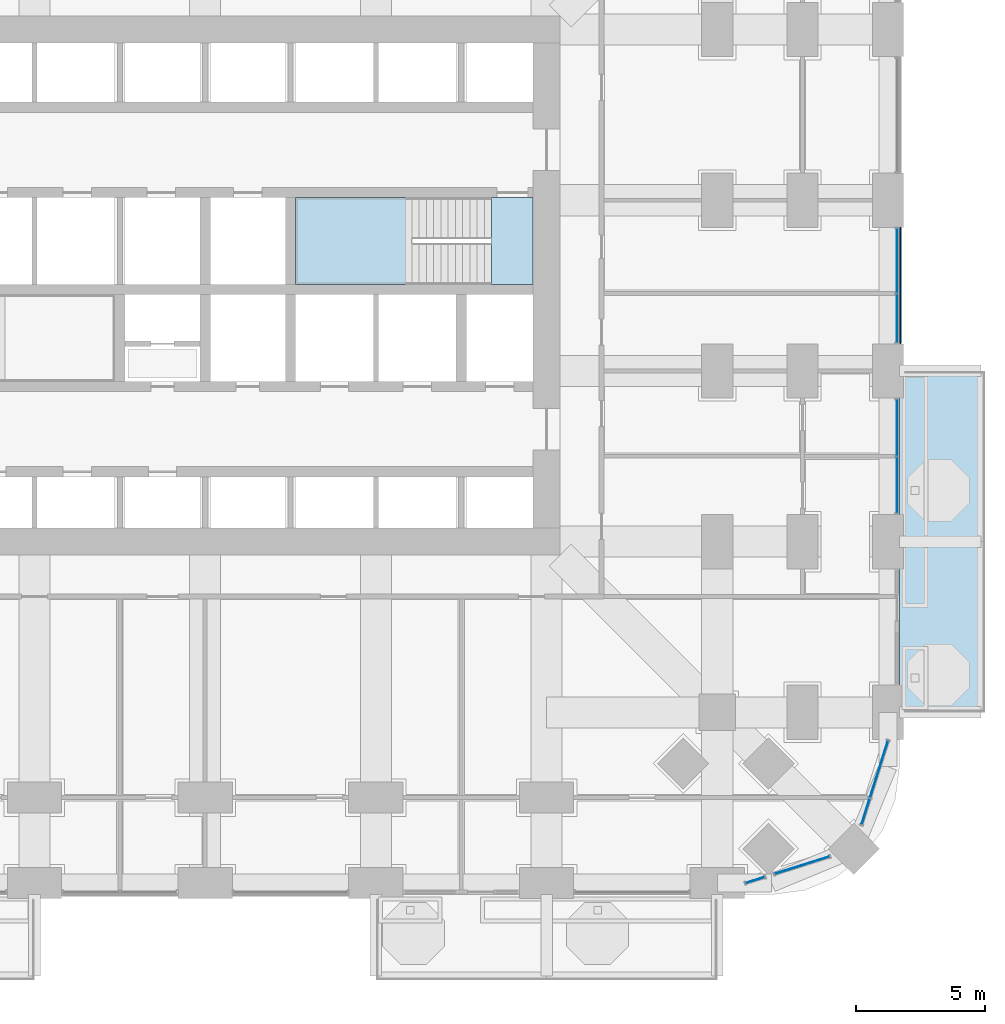
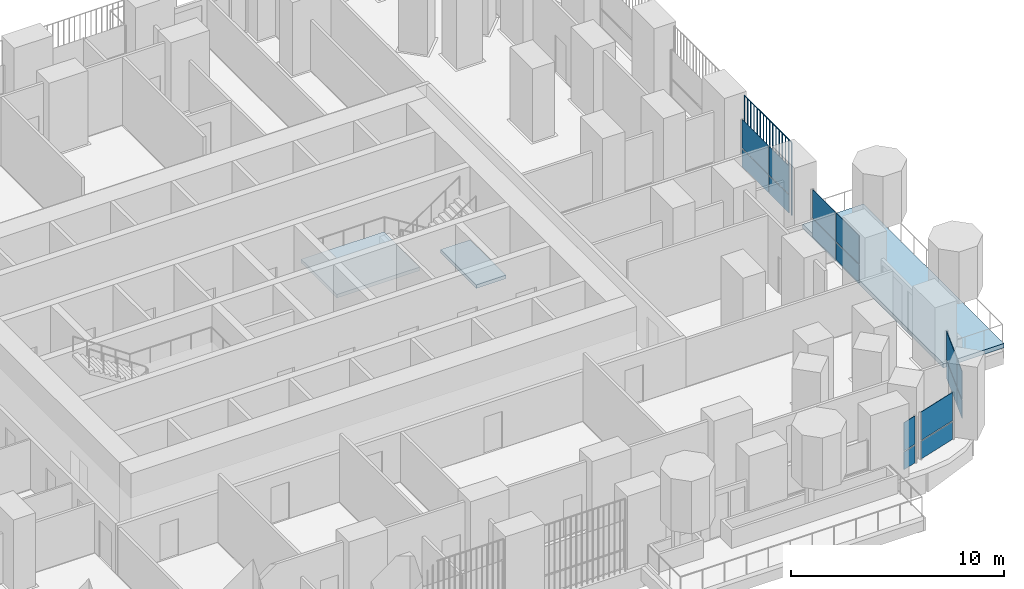
# One storey, part 14 of 27: 17 plates, 3 slabs, 6 elements without a shape of their own.
"""IFC4 building model written with IfcOpenShell, lengths in metres."""

from ifc_helpers import new_model, si_unit, direction, frame, origin, origin_2d, place, context, subcontext, project, spatial, polyline, rectangle, outline, extrude, material, layer, layer_set, type_object, element, aggregate, save


model = new_model("IFC4")

# Units and contexts
model_context = context("Model", 3, precision=1e-05, world=origin(), true_north=direction((0.0, 1.0)))
body_context = subcontext(model_context, "Body", "Model", "MODEL_VIEW")
ifc_project = project(units=[si_unit("LENGTHUNIT", "METRE"), si_unit("AREAUNIT", "SQUARE_METRE"), si_unit("VOLUMEUNIT", "CUBIC_METRE"), si_unit("PLANEANGLEUNIT", "RADIAN"), si_unit("MASSUNIT", "GRAM", prefix="KILO")], contexts=[model_context])

# Site, building, storey
site_placement = place(None, origin())
site = spatial("IfcSite", under=ifc_project, at=site_placement, CompositionType="ELEMENT")
building_placement = place(site_placement, origin())
building = spatial("IfcBuilding", under=site, at=building_placement, Name="Cobogo Forest Laboratory Tower", CompositionType="ELEMENT")
storey_placement = place(building_placement, frame((0.0, 0.0, 38.10009765625)))
storey = spatial("IfcBuildingStorey", under=building, at=storey_placement, Name="L08", CompositionType="ELEMENT", Elevation=38.10009765625)

# Slab
ifc_material_1 = material(Name="Concrete HA-40 (C40/50)", Category="concrete")
ifc_layer_1 = layer(ifc_material_1, 0.25)
ifc_layer_set_1 = layer_set([ifc_layer_1], Name="Balcony slab 250")
slab_type_1 = type_object("IfcSlabType", Name="Balcony slab 250", PredefinedType="FLOOR", material=ifc_layer_set_1)
slab_1_placement = place(storey_placement, frame((0.0, 0.0, -0.25)))
element("IfcSlab", 1, at=slab_1_placement, inside=storey, type_object=slab_type_1, Name="Balcony BAL-E1 L08", PredefinedType="FLOOR", context=body_context, shape_type="SweptSolid", body=[
    extrude(outline(polyline([(53.25, 6.60009765625), (56.550048828125, 6.60009765625), (56.550048828125, 19.800048828125), (53.25, 19.800048828125), (53.25, 6.60009765625)])), origin(), (0.0, 0.0, 1.0), 0.25),
])

# Curtain wall, plates
ifc_material_2 = material(Name="Aluminium curtain wall", Category="aluminium")
curtain_wall_type = type_object("IfcCurtainWallType", Name="CW-1 unitised curtain wall, clear glazing, laboratory floors zones A and B", PredefinedType="USERDEFINED", material=ifc_material_2)
curtain_wall_1_placement = place(storey_placement, origin())
curtain_wall_1 = element("IfcCurtainWall", 2, at=curtain_wall_1_placement, inside=storey, type_object=curtain_wall_type, Name="Curtain wall 07 L08", ObjectType="UNITISED CURTAIN WALL", PredefinedType="USERDEFINED")
ifc_material_3 = material(Name="Clear insulated glass", Category="glass")
ifc_layer_2 = layer(ifc_material_3, 0.028076171875)
ifc_layer_set_2 = layer_set([ifc_layer_2], Name="GP-1 clear insulated glass unit 28")
plate_type_1 = type_object("IfcPlateType", Name="GP-1 clear insulated glass unit 28", PredefinedType="CURTAIN_PANEL", material=ifc_layer_set_2)
plate_1_placement = place(storey_placement, frame((47.666015625, 0.113037109375, 0.0), z_axis=(0.0, 0.0, 1.0), x_axis=(0.953581504428, 0.301135043481, 0.0)))
plate_1 = element("IfcPlate", 3, at=plate_1_placement, type_object=plate_type_1, Name="CW-1 panel 1.1", PredefinedType="CURTAIN_PANEL", context=body_context, shape_type="SweptSolid", body=[
    extrude(rectangle(XDim=0.75244140625, YDim=0.028076171875, at=origin_2d()), origin(), (0.0, 0.0, 1.0), 1.02001953125),
])
plate_2_placement = place(storey_placement, frame((47.666015625, 0.113037109375, 1.079833984375), z_axis=(0.0, 0.0, 1.0), x_axis=(0.953581504428, 0.301135043481, 0.0)))
plate_2 = element("IfcPlate", 4, at=plate_2_placement, type_object=plate_type_1, Name="CW-1 panel 1.2", PredefinedType="CURTAIN_PANEL", context=body_context, shape_type="SweptSolid", body=[
    extrude(rectangle(XDim=0.75244140625, YDim=0.028076171875, at=origin_2d()), origin(), (0.0, 0.0, 1.0), 1.6201171875),
])
aggregate(curtain_wall_1, [plate_1, plate_2])

curtain_wall_2_placement = place(storey_placement, origin())
curtain_wall_2 = element("IfcCurtainWall", 5, at=curtain_wall_2_placement, inside=storey, type_object=curtain_wall_type, Name="Curtain wall 08 L08", ObjectType="UNITISED CURTAIN WALL", PredefinedType="USERDEFINED")
plate_3_placement = place(storey_placement, frame((49.482177734375, 0.6865234375, 0.0), z_axis=(0.0, 0.0, 1.0), x_axis=(0.953581409645, 0.301135343623, 0.0)))
plate_3 = element("IfcPlate", 6, at=plate_3_placement, type_object=plate_type_1, Name="CW-1 panel 1.1", PredefinedType="CURTAIN_PANEL", context=body_context, shape_type="SweptSolid", body=[
    extrude(rectangle(XDim=2.203369140625, YDim=0.028076171875, at=origin_2d()), origin(), (0.0, 0.0, 1.0), 1.02001953125),
])
plate_4_placement = place(storey_placement, frame((49.482177734375, 0.6865234375, 1.079833984375), z_axis=(0.0, 0.0, 1.0), x_axis=(0.953581409645, 0.301135343623, 0.0)))
plate_4 = element("IfcPlate", 7, at=plate_4_placement, type_object=plate_type_1, Name="CW-1 panel 1.2", PredefinedType="CURTAIN_PANEL", context=body_context, shape_type="SweptSolid", body=[
    extrude(rectangle(XDim=2.203369140625, YDim=0.028076171875, at=origin_2d()), origin(), (0.0, 0.0, 1.0), 1.6201171875),
])
aggregate(curtain_wall_2, [plate_3, plate_4])

curtain_wall_3_placement = place(storey_placement, origin())
curtain_wall_3 = element("IfcCurtainWall", 8, at=curtain_wall_3_placement, inside=storey, type_object=curtain_wall_type, Name="Curtain wall 09 L08", ObjectType="UNITISED CURTAIN WALL", PredefinedType="USERDEFINED")
plate_5_placement = place(storey_placement, frame((51.9365234375, 2.75732421875, 0.0), z_axis=(0.0, 0.0, 1.0), x_axis=(0.30113535792, 0.95358140513, 0.0)))
plate_5 = element("IfcPlate", 9, at=plate_5_placement, type_object=plate_type_1, Name="CW-1 panel 1.1", PredefinedType="CURTAIN_PANEL", context=body_context, shape_type="SweptSolid", body=[
    extrude(rectangle(XDim=1.027587890625, YDim=0.028076171875, at=origin_2d()), origin(), (0.0, 0.0, 1.0), 1.02001953125),
])
plate_6_placement = place(storey_placement, frame((51.9365234375, 2.75732421875, 1.079833984375), z_axis=(0.0, 0.0, 1.0), x_axis=(0.30113535792, 0.95358140513, 0.0)))
plate_6 = element("IfcPlate", 10, at=plate_6_placement, type_object=plate_type_1, Name="CW-1 panel 1.2", PredefinedType="CURTAIN_PANEL", context=body_context, shape_type="SweptSolid", body=[
    extrude(rectangle(XDim=1.027587890625, YDim=0.028076171875, at=origin_2d()), origin(), (0.0, 0.0, 1.0), 1.6201171875),
])
plate_7_placement = place(storey_placement, frame((52.454833984375, 4.398681640625, 0.0), z_axis=(0.0, 0.0, 1.0), x_axis=(0.30113535792, 0.95358140513, 0.0)))
plate_7 = element("IfcPlate", 11, at=plate_7_placement, type_object=plate_type_1, Name="CW-1 panel 2.1", PredefinedType="CURTAIN_PANEL", context=body_context, shape_type="SweptSolid", body=[
    extrude(rectangle(XDim=2.294677734375, YDim=0.028076171875, at=origin_2d()), origin(), (0.0, 0.0, 1.0), 1.02001953125),
])
plate_8_placement = place(storey_placement, frame((52.454833984375, 4.398681640625, 1.079833984375), z_axis=(0.0, 0.0, 1.0), x_axis=(0.30113535792, 0.95358140513, 0.0)))
plate_8 = element("IfcPlate", 12, at=plate_8_placement, type_object=plate_type_1, Name="CW-1 panel 2.2", PredefinedType="CURTAIN_PANEL", context=body_context, shape_type="SweptSolid", body=[
    extrude(rectangle(XDim=2.294677734375, YDim=0.028076171875, at=origin_2d()), origin(), (0.0, 0.0, 1.0), 1.6201171875),
])
aggregate(curtain_wall_3, [plate_5, plate_6, plate_7, plate_8])

curtain_wall_4_placement = place(storey_placement, origin())
curtain_wall_4 = element("IfcCurtainWall", 13, at=curtain_wall_4_placement, inside=storey, type_object=curtain_wall_type, Name="Curtain wall 11 L08", ObjectType="UNITISED CURTAIN WALL", PredefinedType="USERDEFINED")
plate_9_placement = place(storey_placement, frame((53.14990234375, 15.389892578125, 0.0), z_axis=(0.0, 0.0, 1.0), x_axis=(0.0, 1.0, 0.0)))
plate_9 = element("IfcPlate", 14, at=plate_9_placement, type_object=plate_type_1, Name="CW-1 panel 1.1", PredefinedType="CURTAIN_PANEL", context=body_context, shape_type="SweptSolid", body=[
    extrude(rectangle(XDim=2.159912109375, YDim=0.028076171875, at=origin_2d()), origin(), (0.0, 0.0, 1.0), 1.02001953125),
])
plate_10_placement = place(storey_placement, frame((53.14990234375, 15.389892578125, 1.079833984375), z_axis=(0.0, 0.0, 1.0), x_axis=(0.0, 1.0, 0.0)))
plate_10 = element("IfcPlate", 15, at=plate_10_placement, type_object=plate_type_1, Name="CW-1 panel 1.2", PredefinedType="CURTAIN_PANEL", context=body_context, shape_type="SweptSolid", body=[
    extrude(rectangle(XDim=2.159912109375, YDim=0.028076171875, at=origin_2d()), origin(), (0.0, 0.0, 1.0), 1.6201171875),
])
plate_11_placement = place(storey_placement, frame((53.14990234375, 17.610107421875, 0.0), z_axis=(0.0, 0.0, 1.0), x_axis=(0.0, 1.0, 0.0)))
plate_11 = element("IfcPlate", 16, at=plate_11_placement, type_object=plate_type_1, Name="CW-1 panel 2.1", PredefinedType="CURTAIN_PANEL", context=body_context, shape_type="SweptSolid", body=[
    extrude(rectangle(XDim=2.159912109375, YDim=0.028076171875, at=origin_2d()), origin(), (0.0, 0.0, 1.0), 1.02001953125),
])
plate_12_placement = place(storey_placement, frame((53.14990234375, 17.610107421875, 1.079833984375), z_axis=(0.0, 0.0, 1.0), x_axis=(0.0, 1.0, 0.0)))
plate_12 = element("IfcPlate", 17, at=plate_12_placement, type_object=plate_type_1, Name="CW-1 panel 2.2", PredefinedType="CURTAIN_PANEL", context=body_context, shape_type="SweptSolid", body=[
    extrude(rectangle(XDim=2.159912109375, YDim=0.028076171875, at=origin_2d()), origin(), (0.0, 0.0, 1.0), 1.6201171875),
])
aggregate(curtain_wall_4, [plate_9, plate_10, plate_11, plate_12])

curtain_wall_5_placement = place(storey_placement, origin())
curtain_wall_5 = element("IfcCurtainWall", 18, at=curtain_wall_5_placement, inside=storey, type_object=curtain_wall_type, Name="Curtain wall 12 L08", ObjectType="UNITISED CURTAIN WALL", PredefinedType="USERDEFINED")
plate_13_placement = place(storey_placement, frame((53.14990234375, 21.840087890625, 0.0), z_axis=(0.0, 0.0, 1.0), x_axis=(0.0, 1.0, 0.0)))
plate_13 = element("IfcPlate", 19, at=plate_13_placement, type_object=plate_type_1, Name="CW-1 panel 1.1", PredefinedType="CURTAIN_PANEL", context=body_context, shape_type="SweptSolid", body=[
    extrude(rectangle(XDim=1.860107421875, YDim=0.028076171875, at=origin_2d()), origin(), (0.0, 0.0, 1.0), 1.02001953125),
])
plate_14_placement = place(storey_placement, frame((53.14990234375, 21.840087890625, 1.079833984375), z_axis=(0.0, 0.0, 1.0), x_axis=(0.0, 1.0, 0.0)))
plate_14 = element("IfcPlate", 20, at=plate_14_placement, type_object=plate_type_1, Name="CW-1 panel 1.2", PredefinedType="CURTAIN_PANEL", context=body_context, shape_type="SweptSolid", body=[
    extrude(rectangle(XDim=1.860107421875, YDim=0.028076171875, at=origin_2d()), origin(), (0.0, 0.0, 1.0), 1.6201171875),
])
plate_15_placement = place(storey_placement, frame((53.14990234375, 24.06005859375, 0.0), z_axis=(0.0, 0.0, 1.0), x_axis=(0.0, 1.0, 0.0)))
plate_15 = element("IfcPlate", 21, at=plate_15_placement, type_object=plate_type_1, Name="CW-1 panel 2.1", PredefinedType="CURTAIN_PANEL", context=body_context, shape_type="SweptSolid", body=[
    extrude(rectangle(XDim=2.4599609375, YDim=0.028076171875, at=origin_2d()), origin(), (0.0, 0.0, 1.0), 1.02001953125),
])
plate_16_placement = place(storey_placement, frame((53.14990234375, 24.06005859375, 1.079833984375), z_axis=(0.0, 0.0, 1.0), x_axis=(0.0, 1.0, 0.0)))
plate_16 = element("IfcPlate", 22, at=plate_16_placement, type_object=plate_type_1, Name="CW-1 panel 2.2", PredefinedType="CURTAIN_PANEL", context=body_context, shape_type="SweptSolid", body=[
    extrude(rectangle(XDim=2.4599609375, YDim=0.028076171875, at=origin_2d()), origin(), (0.0, 0.0, 1.0), 1.6201171875),
])
aggregate(curtain_wall_5, [plate_13, plate_14, plate_15, plate_16])

# Stair, slabs
ifc_material_4 = material(Name="Precast concrete HA-40 (C40/50)", Category="concrete")
stair_type = type_object("IfcStairType", Name="ST24 exit stair 24 risers", PredefinedType="HALF_TURN_STAIR", material=ifc_material_4)
stair_placement = place(storey_placement, origin())
stair = element("IfcStair", 23, at=stair_placement, inside=storey, type_object=stair_type, Name="Stair 2 L08 to L09", PredefinedType="HALF_TURN_STAIR")
ifc_layer_3 = layer(ifc_material_1, 0.199951171875)
ifc_layer_set_3 = layer_set([ifc_layer_3], Name="SL stair landing 200")
slab_type_2 = type_object("IfcSlabType", Name="SL stair landing 200", PredefinedType="LANDING", material=ifc_layer_set_3)
slab_2_placement = place(storey_placement, frame((0.0, 0.0, -0.2001953125)))
slab_2 = element("IfcSlab", 24, at=slab_2_placement, type_object=slab_type_2, Name="ST2 landing 1", PredefinedType="LANDING", context=body_context, shape_type="SweptSolid", body=[
    extrude(outline(polyline([(37.472900390625, 23.14990234375), (39.074951171875, 23.14990234375), (39.074951171875, 26.5), (37.472900390625, 26.5), (37.472900390625, 23.14990234375)])), origin(), (0.0, 0.0, 1.0), 0.2001953125),
])
slab_3_placement = place(storey_placement, frame((0.0, 0.0, 1.89990234375)))
slab_3 = element("IfcSlab", 25, at=slab_3_placement, type_object=slab_type_2, Name="ST2 landing 2", PredefinedType="LANDING", context=body_context, shape_type="SweptSolid", body=[
    extrude(outline(polyline([(29.89990234375, 23.14990234375), (34.39697265625, 23.14990234375), (34.39697265625, 26.5), (29.89990234375, 26.5), (29.89990234375, 23.14990234375)])), origin(), (0.0, 0.0, 1.0), 0.199951171875),
])
aggregate(stair, [slab_2, slab_3])

# Plate
ifc_material_5 = material(Name="Terracotta", Category="masonry")
plate_type_2 = type_object("IfcPlateType", Name="TB1 terracotta baguette screen", PredefinedType="USERDEFINED", material=ifc_material_5)
plate_17_placement = place(storey_placement, frame((53.27783203125, 20.88134765625, -0.150146484375)))
element("IfcPlate", 26, at=plate_17_placement, inside=storey, type_object=plate_type_2, Name="Baguette screen E3 L08", ObjectType="BAGUETTE SCREEN", PredefinedType="USERDEFINED", context=body_context, shape_type="SweptSolid", body=[
    extrude(outline(polyline([(0.02880859375, 0.011962890625), (0.011962890625, 0.02880859375), (-0.011962890625, 0.02880859375), (-0.02880859375, 0.011962890625), (-0.02880859375, -0.011962890625), (-0.011962890625, -0.02880859375), (0.011962890625, -0.02880859375), (0.02880859375, -0.011962890625), (0.02880859375, 0.011962890625)])), frame((0.0, 0.0, 4.168701171875), z_axis=(0.0, 1.0, 0.0), x_axis=(-1.0, 0.0, 0.0)), (0.0, 0.0, 1.0), 4.4375),
    extrude(outline(polyline([(0.02880859375, 0.011962890625), (0.011962890625, 0.02880859375), (-0.011962890625, 0.02880859375), (-0.02880859375, 0.011962890625), (-0.02880859375, -0.011962890625), (-0.011962890625, -0.02880859375), (0.011962890625, -0.02880859375), (0.02880859375, -0.011962890625), (0.02880859375, 0.011962890625)])), origin(), (0.0, 0.0, 1.0), 4.137451171875),
    extrude(outline(polyline([(0.02880859375, 0.011962890625), (0.011962890625, 0.02880859375), (-0.011962890625, 0.02880859375), (-0.02880859375, 0.011962890625), (-0.02880859375, -0.011962890625), (-0.011962890625, -0.02880859375), (0.011962890625, -0.02880859375), (0.02880859375, -0.011962890625), (0.02880859375, 0.011962890625)])), frame((0.0, 0.2958984375, 0.0)), (0.0, 0.0, 1.0), 4.137451171875),
    extrude(outline(polyline([(0.02880859375, 0.011962890625), (0.011962890625, 0.02880859375), (-0.011962890625, 0.02880859375), (-0.02880859375, 0.011962890625), (-0.02880859375, -0.011962890625), (-0.011962890625, -0.02880859375), (0.011962890625, -0.02880859375), (0.02880859375, -0.011962890625), (0.02880859375, 0.011962890625)])), frame((0.0, 0.591552734375, 0.0)), (0.0, 0.0, 1.0), 4.137451171875),
    extrude(outline(polyline([(0.02880859375, 0.011962890625), (0.011962890625, 0.02880859375), (-0.011962890625, 0.02880859375), (-0.02880859375, 0.011962890625), (-0.02880859375, -0.011962890625), (-0.011962890625, -0.02880859375), (0.011962890625, -0.02880859375), (0.02880859375, -0.011962890625), (0.02880859375, 0.011962890625)])), frame((0.0, 0.887451171875, 0.0)), (0.0, 0.0, 1.0), 4.137451171875),
    extrude(outline(polyline([(0.02880859375, 0.011962890625), (0.011962890625, 0.02880859375), (-0.011962890625, 0.02880859375), (-0.02880859375, 0.011962890625), (-0.02880859375, -0.011962890625), (-0.011962890625, -0.02880859375), (0.011962890625, -0.02880859375), (0.02880859375, -0.011962890625), (0.02880859375, 0.011962890625)])), frame((0.0, 1.183349609375, 0.0)), (0.0, 0.0, 1.0), 4.137451171875),
    extrude(outline(polyline([(0.02880859375, 0.011962890625), (0.011962890625, 0.02880859375), (-0.011962890625, 0.02880859375), (-0.02880859375, 0.011962890625), (-0.02880859375, -0.011962890625), (-0.011962890625, -0.02880859375), (0.011962890625, -0.02880859375), (0.02880859375, -0.011962890625), (0.02880859375, 0.011962890625)])), frame((0.0, 1.479248046875, 0.0)), (0.0, 0.0, 1.0), 4.137451171875),
    extrude(outline(polyline([(0.02880859375, 0.011962890625), (0.011962890625, 0.02880859375), (-0.011962890625, 0.02880859375), (-0.02880859375, 0.011962890625), (-0.02880859375, -0.011962890625), (-0.011962890625, -0.02880859375), (0.011962890625, -0.02880859375), (0.02880859375, -0.011962890625), (0.02880859375, 0.011962890625)])), frame((0.0, 1.77490234375, 0.0)), (0.0, 0.0, 1.0), 4.137451171875),
    extrude(outline(polyline([(0.02880859375, 0.011962890625), (0.011962890625, 0.02880859375), (-0.011962890625, 0.02880859375), (-0.02880859375, 0.011962890625), (-0.02880859375, -0.011962890625), (-0.011962890625, -0.02880859375), (0.011962890625, -0.02880859375), (0.02880859375, -0.011962890625), (0.02880859375, 0.011962890625)])), frame((0.0, 2.07080078125, 0.0)), (0.0, 0.0, 1.0), 4.137451171875),
    extrude(outline(polyline([(0.02880859375, 0.011962890625), (0.011962890625, 0.02880859375), (-0.011962890625, 0.02880859375), (-0.02880859375, 0.011962890625), (-0.02880859375, -0.011962890625), (-0.011962890625, -0.02880859375), (0.011962890625, -0.02880859375), (0.02880859375, -0.011962890625), (0.02880859375, 0.011962890625)])), frame((0.0, 2.36669921875, 0.0)), (0.0, 0.0, 1.0), 4.137451171875),
    extrude(outline(polyline([(0.02880859375, 0.011962890625), (0.011962890625, 0.02880859375), (-0.011962890625, 0.02880859375), (-0.02880859375, 0.011962890625), (-0.02880859375, -0.011962890625), (-0.011962890625, -0.02880859375), (0.011962890625, -0.02880859375), (0.02880859375, -0.011962890625), (0.02880859375, 0.011962890625)])), frame((0.0, 2.66259765625, 0.0)), (0.0, 0.0, 1.0), 4.137451171875),
    extrude(outline(polyline([(0.02880859375, 0.011962890625), (0.011962890625, 0.02880859375), (-0.011962890625, 0.02880859375), (-0.02880859375, 0.011962890625), (-0.02880859375, -0.011962890625), (-0.011962890625, -0.02880859375), (0.011962890625, -0.02880859375), (0.02880859375, -0.011962890625), (0.02880859375, 0.011962890625)])), frame((0.0, 2.958251953125, 0.0)), (0.0, 0.0, 1.0), 4.137451171875),
    extrude(outline(polyline([(0.02880859375, 0.011962890625), (0.011962890625, 0.02880859375), (-0.011962890625, 0.02880859375), (-0.02880859375, 0.011962890625), (-0.02880859375, -0.011962890625), (-0.011962890625, -0.02880859375), (0.011962890625, -0.02880859375), (0.02880859375, -0.011962890625), (0.02880859375, 0.011962890625)])), frame((0.0, 3.254150390625, 0.0)), (0.0, 0.0, 1.0), 4.137451171875),
    extrude(outline(polyline([(0.02880859375, 0.011962890625), (0.011962890625, 0.02880859375), (-0.011962890625, 0.02880859375), (-0.02880859375, 0.011962890625), (-0.02880859375, -0.011962890625), (-0.011962890625, -0.02880859375), (0.011962890625, -0.02880859375), (0.02880859375, -0.011962890625), (0.02880859375, 0.011962890625)])), frame((0.0, 3.550048828125, 0.0)), (0.0, 0.0, 1.0), 4.137451171875),
    extrude(outline(polyline([(0.02880859375, 0.011962890625), (0.011962890625, 0.02880859375), (-0.011962890625, 0.02880859375), (-0.02880859375, 0.011962890625), (-0.02880859375, -0.011962890625), (-0.011962890625, -0.02880859375), (0.011962890625, -0.02880859375), (0.02880859375, -0.011962890625), (0.02880859375, 0.011962890625)])), frame((0.0, 3.845947265625, 0.0)), (0.0, 0.0, 1.0), 4.137451171875),
    extrude(outline(polyline([(0.02880859375, 0.011962890625), (0.011962890625, 0.02880859375), (-0.011962890625, 0.02880859375), (-0.02880859375, 0.011962890625), (-0.02880859375, -0.011962890625), (-0.011962890625, -0.02880859375), (0.011962890625, -0.02880859375), (0.02880859375, -0.011962890625), (0.02880859375, 0.011962890625)])), frame((0.0, 4.1416015625, 0.0)), (0.0, 0.0, 1.0), 4.137451171875),
    extrude(outline(polyline([(0.02880859375, 0.011962890625), (0.011962890625, 0.02880859375), (-0.011962890625, 0.02880859375), (-0.02880859375, 0.011962890625), (-0.02880859375, -0.011962890625), (-0.011962890625, -0.02880859375), (0.011962890625, -0.02880859375), (0.02880859375, -0.011962890625), (0.02880859375, 0.011962890625)])), frame((0.0, 4.4375, 0.0)), (0.0, 0.0, 1.0), 4.137451171875),
])

save(model, "model.ifc")
